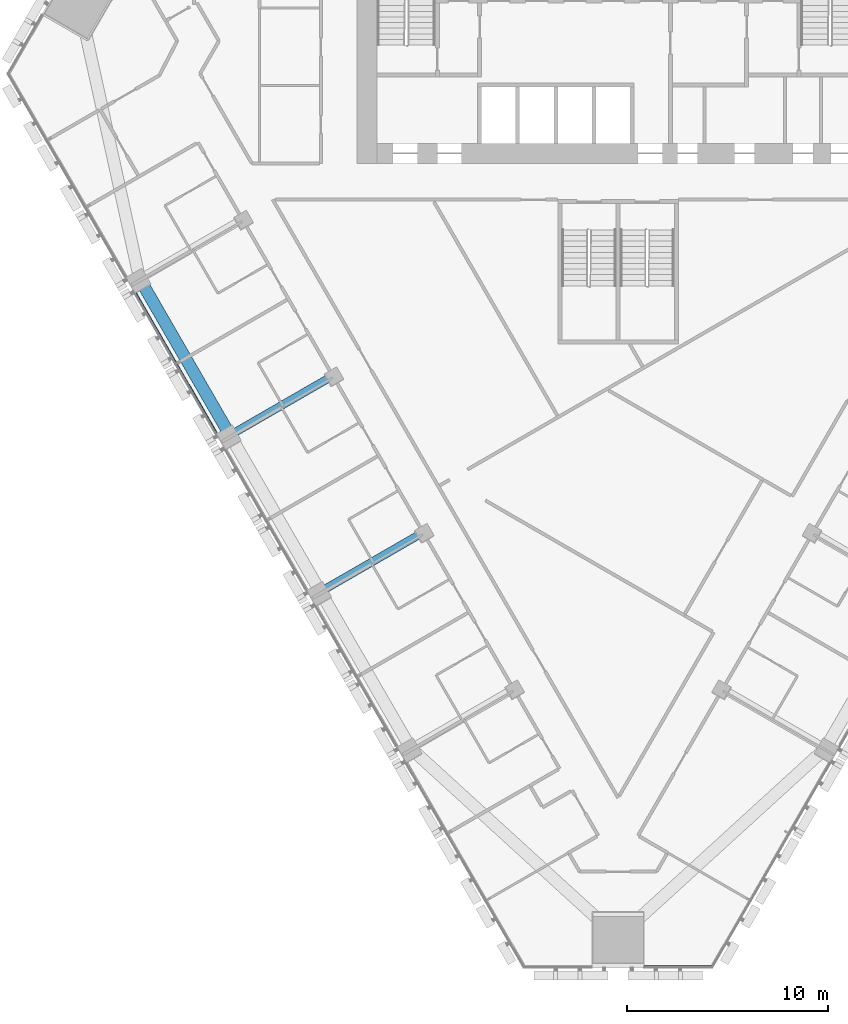
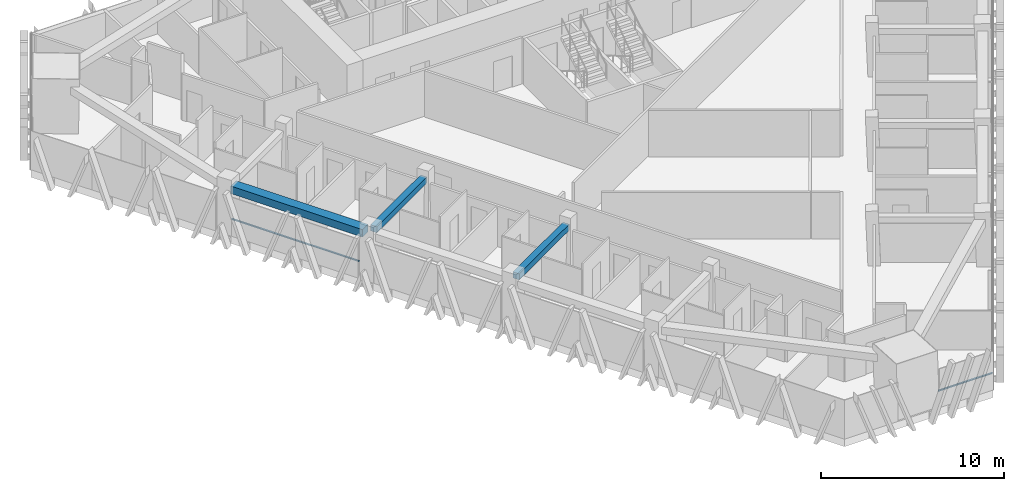
# One storey, part 3 of 17: 3 beams, 2 members, 2 elements without a shape of their own.
"""IFC4 building model written with IfcOpenShell, lengths in metres."""

import ifcopenshell
import ifcopenshell.guid

model = None  # the IFC model being written
_history = None  # IfcOwnerHistory: only IFC2X3 demands one
_inside = {}  # id of a spatial element -> (the spatial element, [elements in it])
_under = {}  # id of a project, library or spatial element -> (it, [spatial elements below it])
_declared = {}  # id of a project -> (the project, [libraries it declares])
_typed = {}  # id of a type object -> (the type object, [elements of that type])
_made_of = {}  # id of a material, layer set ... -> (it, [elements and type objects made of it])


def new_model(schema):
    """Start an empty IFC model of exactly this schema.

    Asked for "IFC4X3", IfcOpenShell would pick the latest addendum, in which some entities
    have other attributes; the version numbers below select the first issue.
    IFC2X3 requires an IfcOwnerHistory on every rooted entity: one is made here for all.
    """
    global model, _history
    if schema == "IFC4X3":
        model = ifcopenshell.file(schema_version=(4, 3, 0, 0))
    else:
        model = ifcopenshell.file(schema=schema)
    _inside.clear()
    _under.clear()
    _declared.clear()
    _typed.clear()
    _made_of.clear()
    _history = None
    if model.schema == "IFC2X3":
        org = make("IfcOrganization", Name="unknown")
        user = make(
            "IfcPersonAndOrganization",
            ThePerson=make("IfcPerson", FamilyName="unknown"),
            TheOrganization=org,
        )
        app = make(
            "IfcApplication",
            ApplicationDeveloper=org,
            Version="unknown",
            ApplicationFullName="unknown",
            ApplicationIdentifier="unknown",
        )
        _history = make(
            "IfcOwnerHistory",
            OwningUser=user,
            OwningApplication=app,
            ChangeAction="ADDED",
            CreationDate=0,
        )
    return model


def make(cls, **values):
    """One entity of the class cls with the attributes given. An attribute that is None is left unset."""
    return model.create_entity(
        cls, **{name: value for name, value in values.items() if value is not None}
    )


def rooted(cls, **values):
    """An entity with a GlobalId (a new one), such as an element, a storey or a relation."""
    return make(cls, GlobalId=ifcopenshell.guid.new(), OwnerHistory=_history, **values)


def si_unit(unit_type, name, prefix=None):
    """IfcSIUnit, for example si_unit("LENGTHUNIT", "METRE", prefix="MILLI")."""
    return make("IfcSIUnit", UnitType=unit_type, Prefix=prefix, Name=name)


def assignment(units):
    """IfcUnitAssignment: the units of a project."""
    return None if units is None else make("IfcUnitAssignment", Units=units)


def point(xyz):
    """IfcCartesianPoint."""
    return None if xyz is None else make("IfcCartesianPoint", Coordinates=xyz)


def direction(xyz):
    """IfcDirection."""
    return None if xyz is None else make("IfcDirection", DirectionRatios=xyz)


def frame(location, z_axis=None, x_axis=None):
    """IfcAxis2Placement3D, a coordinate frame: its origin and axes. An axis left out is left unset."""
    return make(
        "IfcAxis2Placement3D",
        Location=point(location),
        Axis=direction(z_axis),
        RefDirection=direction(x_axis),
    )


def frame_2d(location, x_axis=None):
    """IfcAxis2Placement2D, a coordinate frame in the plane: its origin and x axis."""
    return make(
        "IfcAxis2Placement2D", Location=point(location), RefDirection=direction(x_axis)
    )


def origin():
    """The frame at (0, 0, 0) with its axes left unset."""
    return frame((0.0, 0.0, 0.0))


def origin_2d():
    """The frame at (0, 0) in the plane with its x axis left unset."""
    return frame_2d((0.0, 0.0))


def place(relative_to, where):
    """IfcLocalPlacement: puts the frame where relative to a parent placement (None: the world)."""
    return make(
        "IfcLocalPlacement", PlacementRelTo=relative_to, RelativePlacement=where
    )


def context(
    kind, dimensions, precision=None, world=None, true_north=None, identifier=None
):
    """IfcGeometricRepresentationContext, for example the 3D "Model" context."""
    return make(
        "IfcGeometricRepresentationContext",
        ContextIdentifier=identifier,
        ContextType=kind,
        CoordinateSpaceDimension=dimensions,
        Precision=precision,
        WorldCoordinateSystem=world,
        TrueNorth=true_north,
    )


def subcontext(parent, identifier, kind, view, scale=None):
    """IfcGeometricRepresentationSubContext, for example "Body" below "Model"."""
    return make(
        "IfcGeometricRepresentationSubContext",
        ContextIdentifier=identifier,
        ContextType=kind,
        ParentContext=parent,
        TargetScale=scale,
        TargetView=view,
    )


def project(units=None, contexts=None):
    """IfcProject with its units and contexts."""
    return rooted(
        "IfcProject",
        Name="project",
        RepresentationContexts=contexts,
        UnitsInContext=assignment(units),
    )


def spatial(cls, under=None, at=None, **own):
    """A site, building, storey or space (cls), placed at a placement, below another one or the project."""
    s = rooted(cls, ObjectPlacement=at, **own)
    if under is not None:
        _under.setdefault(under.id(), (under, []))[1].append(s)
    return s


def profile(cls, at=None, kind="AREA", **sizes):
    """A parametric profile (cls). Its sizes go by their IFC names, for example OverallWidth=200.0."""
    return make(cls, ProfileType=kind, Position=at, **sizes)


def rectangle(**sizes):
    """IfcRectangleProfileDef."""
    return profile("IfcRectangleProfileDef", **sizes)


def extrude(swept, where, along, depth):
    """IfcExtrudedAreaSolid: the profile swept, set in the frame where, extruded along a direction by depth."""
    return make(
        "IfcExtrudedAreaSolid",
        SweptArea=swept,
        Position=where,
        ExtrudedDirection=direction(along),
        Depth=depth,
    )


def shape(context_of_items, identifier, shape_type, items):
    """IfcShapeRepresentation: the items that make up one representation, for example the "Body"."""
    return make(
        "IfcShapeRepresentation",
        ContextOfItems=context_of_items,
        RepresentationIdentifier=identifier,
        RepresentationType=shape_type,
        Items=items,
    )


def material(Name=None, Category=None):
    """IfcMaterial."""
    return make("IfcMaterial", Name=Name, Category=Category)


def layer(
    of_material, thickness, ventilated=None, Name=None, Category=None, Priority=None
):
    """IfcMaterialLayer: one layer of a wall or slab, of a material (None: an air gap)."""
    return make(
        "IfcMaterialLayer",
        Material=of_material,
        LayerThickness=thickness,
        IsVentilated=ventilated,
        Name=Name,
        Category=Category,
        Priority=Priority,
    )


def layer_set(layers, Name=None):
    """IfcMaterialLayerSet."""
    return make("IfcMaterialLayerSet", MaterialLayers=layers, LayerSetName=Name)


def material_profile(
    of_material, cross_section, Name=None, Category=None, Priority=None
):
    """IfcMaterialProfile: a cross section and its material."""
    return make(
        "IfcMaterialProfile",
        Name=Name,
        Material=of_material,
        Profile=cross_section,
        Priority=Priority,
        Category=Category,
    )


def profile_set(profiles, Name=None, composite=None):
    """IfcMaterialProfileSet."""
    return make(
        "IfcMaterialProfileSet",
        Name=Name,
        MaterialProfiles=profiles,
        CompositeProfile=composite,
    )


def made_of(thing, what):
    """Note that an element or type object is made of a material, layer set ...; save() writes the relation."""
    if what is not None:
        _made_of.setdefault(what.id(), (what, []))[1].append(thing)
    return thing


def type_object(cls, material=None, **own):
    """A type object (cls), such as IfcWallType, which elements share."""
    return made_of(rooted(cls, **own), material)


def element(
    cls,
    number,
    at=None,
    inside=None,
    cuts=None,
    type_object=None,
    material=None,
    context=None,
    identifier="Body",
    shape_type=None,
    held_by="IfcProductDefinitionShape",
    body=None,
    shapes=None,
    **own,
):
    """One element of the class cls, such as IfcWall. Its Tag is "e" and its number.

    at: its placement. inside: the storey or other place that contains it. cuts: it is an
    opening in that element (IfcRelVoidsElement). A single representation is given by context,
    identifier, shape_type and body (its items); several are given by shapes. held_by: the class
    of the entity that holds the representations. save() writes the other relations.
    """
    e = rooted(cls, Tag="e%d" % number, ObjectPlacement=at, **own)
    if body is not None:
        shapes = [shape(context, identifier, shape_type, body)]
    if shapes is not None:
        e.Representation = make(held_by, Representations=shapes)
    if inside is not None:
        _inside.setdefault(inside.id(), (inside, []))[1].append(e)
    if cuts is not None:
        rooted(
            "IfcRelVoidsElement", RelatingBuildingElement=cuts, RelatedOpeningElement=e
        )
    if type_object is not None:
        _typed.setdefault(type_object.id(), (type_object, []))[1].append(e)
    return made_of(e, material)


def aggregate(whole, parts):
    """IfcRelAggregates: a whole, such as a stair, and the parts it consists of."""
    return rooted("IfcRelAggregates", RelatingObject=whole, RelatedObjects=parts)


def save(model, path):
    """Write the relations noted so far, then the file.

    IfcRelAggregates (storeys below a building ...), IfcRelContainedInSpatialStructure (elements
    in a storey), IfcRelDefinesByType, IfcRelAssociatesMaterial and IfcRelDeclares: one each for
    every whole, place, type object, material and project.
    """
    for whole, parts in _under.values():
        aggregate(whole, parts)
    for where, things in _inside.values():
        rooted(
            "IfcRelContainedInSpatialStructure",
            RelatedElements=things,
            RelatingStructure=where,
        )
    for kind, things in _typed.values():
        rooted("IfcRelDefinesByType", RelatedObjects=things, RelatingType=kind)
    for what, things in _made_of.values():
        rooted("IfcRelAssociatesMaterial", RelatedObjects=things, RelatingMaterial=what)
    for by, libraries in _declared.values():
        rooted("IfcRelDeclares", RelatingContext=by, RelatedDefinitions=libraries)
    model.write(path)


model = new_model("IFC4")

# Units and contexts
model_context = context("Model", 3, precision=1e-05, world=origin(), true_north=direction((0.0, 1.0)))
body_context = subcontext(model_context, "Body", "Model", "MODEL_VIEW")
ifc_project = project(units=[si_unit("LENGTHUNIT", "METRE"), si_unit("AREAUNIT", "SQUARE_METRE"), si_unit("VOLUMEUNIT", "CUBIC_METRE"), si_unit("PLANEANGLEUNIT", "RADIAN"), si_unit("MASSUNIT", "GRAM", prefix="KILO")], contexts=[model_context])

# Site, building, storey
site_placement = place(None, origin())
site = spatial("IfcSite", under=ifc_project, at=site_placement, CompositionType="ELEMENT")
building_placement = place(site_placement, origin())
building = spatial("IfcBuilding", under=site, at=building_placement, Name="Altiplano Prism Tower", CompositionType="ELEMENT")
storey_placement = place(building_placement, frame((0.0, 0.0, 55.800048828125)))
storey = spatial("IfcBuildingStorey", under=building, at=storey_placement, Name="L13", CompositionType="ELEMENT", Elevation=55.800048828125)

# Curtain wall, member
ifc_material_1 = material(Name="Aluminium and glass", Category="aluminium")
ifc_layer = layer(ifc_material_1, 0.280029296875)
ifc_layer_set = layer_set([ifc_layer], Name="Aluminium and glass")
curtain_wall_type = type_object("IfcCurtainWallType", Name="CW1 typical co-living unitised curtain wall", PredefinedType="NOTDEFINED", material=ifc_layer_set)
curtain_wall_1_placement = place(storey_placement, origin())
curtain_wall_1 = element("IfcCurtainWall", 1, at=curtain_wall_1_placement, inside=storey, type_object=curtain_wall_type, Name="CW1 curtain wall south-west face L13", PredefinedType="NOTDEFINED")
ifc_material_2 = material(Name="Aluminium", Category="aluminium")
ifc_material_profile_1 = material_profile(ifc_material_2, rectangle(XDim=0.06005859375, YDim=0.080078125, at=origin_2d()), Name="CW1 transom 80 x 60")
ifc_profile_set_1 = profile_set([ifc_material_profile_1], Name="Aluminium")
member_type = type_object("IfcMemberType", Name="CW1 transom 80 x 60", PredefinedType="USERDEFINED", material=ifc_profile_set_1)
member_1_placement = place(storey_placement, frame((60.9892578125, 85.9443359375, 1.099853515625), z_axis=(0.500012318566, -0.86601829154, 0.0), x_axis=(0.86601829154, 0.500012318566, 0.0)))
member_1 = element("IfcMember", 2, at=member_1_placement, type_object=member_type, Name="CW1 transom", ObjectType="TRANSOM", PredefinedType="USERDEFINED", context=body_context, shape_type="SweptSolid", body=[
    extrude(rectangle(XDim=0.06005859375, YDim=0.080078125, at=origin_2d()), origin(), (0.0, 0.0, 1.0), 8.019775390625),
])
aggregate(curtain_wall_1, [member_1])

curtain_wall_2_placement = place(storey_placement, origin())
curtain_wall_2 = element("IfcCurtainWall", 3, at=curtain_wall_2_placement, inside=storey, type_object=curtain_wall_type, Name="CW1 curtain wall south chamfer L13", PredefinedType="NOTDEFINED")
member_2_placement = place(storey_placement, frame((86.300048828125, 52.413818359375, 1.099853515625), z_axis=(1.0, 0.0, 0.0), x_axis=(0.0, 1.0, 0.0)))
member_2 = element("IfcMember", 4, at=member_2_placement, type_object=member_type, Name="CW1 transom", ObjectType="TRANSOM", PredefinedType="USERDEFINED", context=body_context, shape_type="SweptSolid", body=[
    extrude(rectangle(XDim=0.06005859375, YDim=0.080078125, at=origin_2d()), origin(), (0.0, 0.0, 1.0), 3.39208984375),
])
aggregate(curtain_wall_2, [member_2])

# Beams
ifc_material_3 = material(Name="Concrete C60/75", Category="concrete")
ifc_material_profile_2 = material_profile(ifc_material_3, rectangle(XDim=0.60009765625, YDim=0.5, at=origin_2d()), Name="Edge beam 600x500")
ifc_profile_set_2 = profile_set([ifc_material_profile_2], Name="Concrete C60/75")
beam_type_1 = type_object("IfcBeamType", Name="Edge beam 600x500", PredefinedType="SPANDREL", material=ifc_profile_set_2)
beam_placement = place(storey_placement, frame((61.338134765625, 86.37744140625, 2.849853515625), z_axis=(0.499992746786, -0.866029591389, 0.0), x_axis=(0.866029591389, 0.499992746786, 0.0)))
element("IfcBeam", 5, at=beam_placement, inside=storey, type_object=beam_type_1, Name="Edge beam P11-P12 L14", PredefinedType="SPANDREL", context=body_context, shape_type="SweptSolid", body=[
    extrude(rectangle(XDim=0.60009765625, YDim=0.5, at=origin_2d()), origin(), (0.0, 0.0, 1.0), 8.33984375),
])
ifc_material_profile_3 = material_profile(ifc_material_3, rectangle(XDim=0.39990234375, YDim=0.39990234375, at=origin_2d()), Name="Tie beam 400x400")
ifc_profile_set_3 = profile_set([ifc_material_profile_3], Name="Concrete C60/75")
beam_type_2 = type_object("IfcBeamType", Name="Tie beam 400x400", PredefinedType="BEAM", material=ifc_profile_set_3)
for number, where, z_axis, x_axis, name in (
    (6, (70.71337890625, 81.779052734375, 2.89990234375), (-0.866012292785, -0.50002270823, 0.0), (0.50002270823, -0.866012292785, 0.0), "Tie beam I12 L14"),
    (7, (75.21337890625, 73.98486328125, 2.89990234375), (-0.866012292785, -0.50002270823, 0.0), (0.50002270823, -0.866012292785, 0.0), "Tie beam I13 L14"),
):
    element("IfcBeam", number, at=place(storey_placement, frame(where, z_axis=z_axis, x_axis=x_axis)), inside=storey, type_object=beam_type_2, Name=name, PredefinedType="BEAM", context=body_context, shape_type="SweptSolid", body=[
        extrude(rectangle(XDim=0.39990234375, YDim=0.39990234375, at=origin_2d()), origin(), (0.0, 0.0, 1.0), 5.489990234375),
    ])

save(model, "model.ifc")
